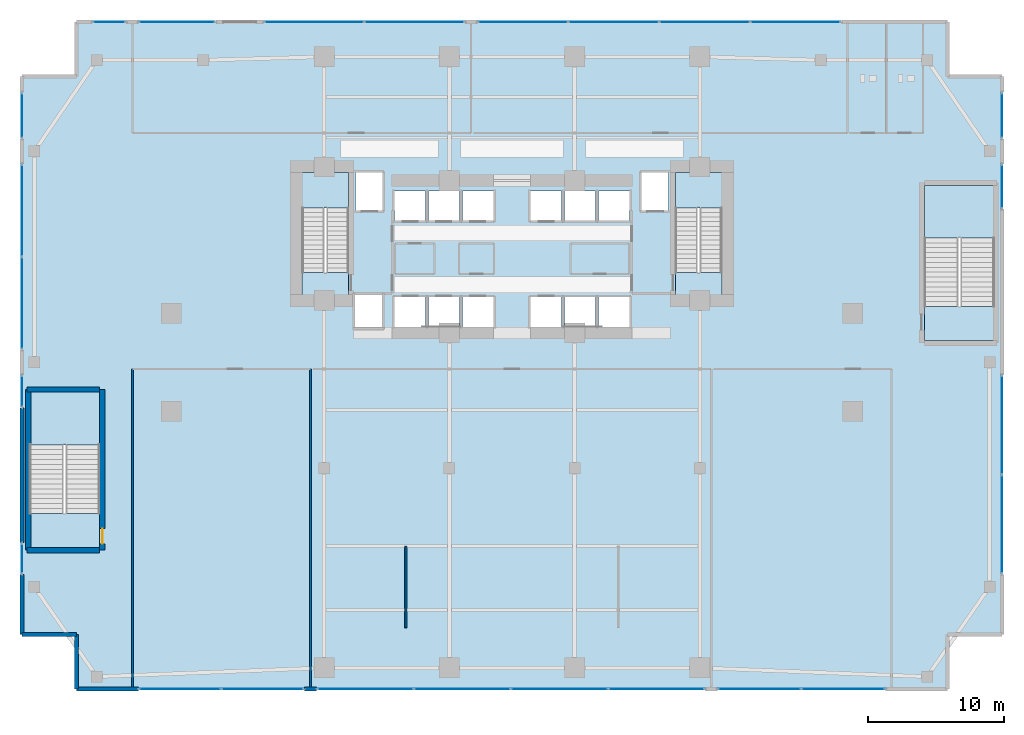
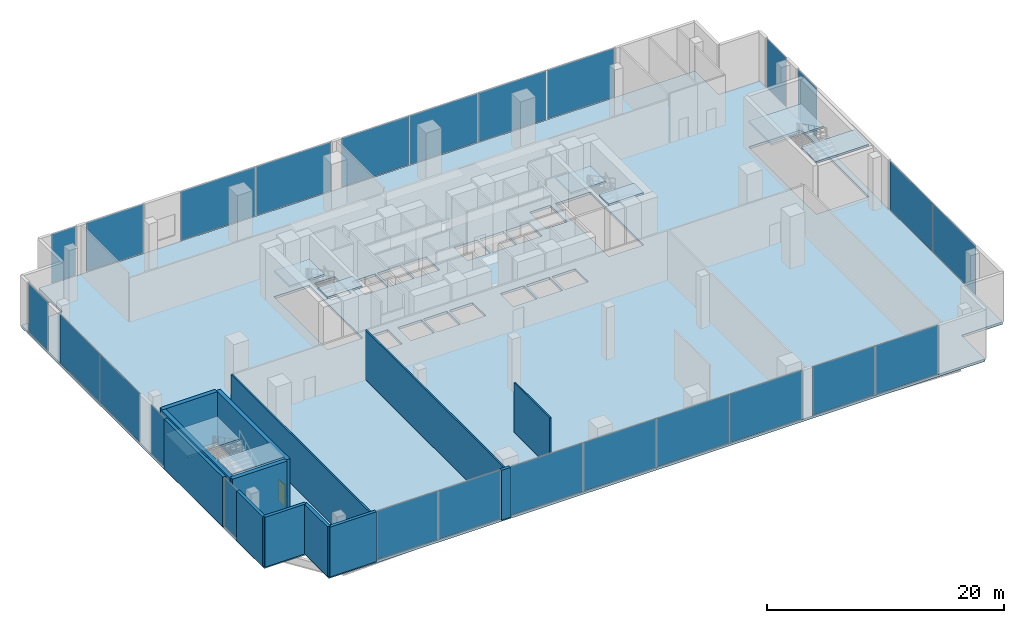
# One storey, part 22 of 30: 25 plates, 13 walls, 9 slabs, 1 door, 1 opening, 18 elements without a shape of their own.
"""IFC4 building model written with IfcOpenShell, lengths in metres."""

from ifc_helpers import new_model, si_unit, direction, frame, frame_2d, origin, origin_2d, place, context, subcontext, project, spatial, polyline, rectangle, outline, extrude, material, layer, layer_set, type_object, element, fill, aggregate, save


model = new_model("IFC4")

# Units and contexts
model_context = context("Model", 3, precision=1e-05, world=origin(), true_north=direction((0.0, 1.0)))
body_context = subcontext(model_context, "Body", "Model", "MODEL_VIEW")
ifc_project = project(units=[si_unit("LENGTHUNIT", "METRE"), si_unit("AREAUNIT", "SQUARE_METRE"), si_unit("VOLUMEUNIT", "CUBIC_METRE"), si_unit("PLANEANGLEUNIT", "RADIAN"), si_unit("MASSUNIT", "GRAM", prefix="KILO")], contexts=[model_context])

# Site, building, storey
site_placement = place(None, origin())
site = spatial("IfcSite", under=ifc_project, at=site_placement, CompositionType="ELEMENT")
building_placement = place(site_placement, origin())
building = spatial("IfcBuilding", under=site, at=building_placement, Name="Zuhayl Quay Hotel", CompositionType="ELEMENT")
storey_placement = place(building_placement, frame((0.0, 0.0, 6.0)))
storey = spatial("IfcBuildingStorey", under=building, at=storey_placement, Name="L01", CompositionType="ELEMENT", Elevation=6.0)

# Curtain wall, plate
ifc_material_1 = material(Name="Anodised Aluminium 6063-T6", Category="aluminium")
ifc_layer_1 = layer(ifc_material_1, 0.199951171875, Name="Anodised Aluminium 6063-T6", Category="aluminium")
ifc_layer_set_1 = layer_set([ifc_layer_1], Name="Anodised Aluminium 6063-T6")
curtain_wall_type = type_object("IfcCurtainWallType", Name="CW_SYS_POD", PredefinedType="USERDEFINED", material=ifc_layer_set_1)
curtain_wall_1_placement = place(storey_placement, origin())
curtain_wall_1 = element("IfcCurtainWall", 1, at=curtain_wall_1_placement, inside=storey, type_object=curtain_wall_type, Name="L01 Curtain Wall ENV_L01_E02_CW1", ObjectType="UNITISED CURTAIN WALL", PredefinedType="USERDEFINED")
ifc_material_2 = material(Name="Low-E Insulated Clear Vision Glass", Category="glass")
ifc_layer_2 = layer(ifc_material_2, 0.031982421875, Name="Low-E Insulated Clear Vision Glass", Category="glass")
ifc_layer_set_2 = layer_set([ifc_layer_2], Name="Low-E Insulated Clear Vision Glass")
plate_type = type_object("IfcPlateType", Name="PN_POD_VISION", PredefinedType="CURTAIN_PANEL", material=ifc_layer_set_2)
plate_1_placement = place(storey_placement, frame((-36.0, -14.4150390625, 0.06005859375), z_axis=(0.0, 0.0, 1.0), x_axis=(0.0, 1.0, 0.0)))
plate_1 = element("IfcPlate", 2, at=plate_1_placement, type_object=plate_type, Name="CW-POD panel 1.1", PredefinedType="CURTAIN_PANEL", context=body_context, shape_type="SweptSolid", body=[
    extrude(rectangle(XDim=2.179931640625, YDim=0.031982421875, at=origin_2d()), origin(), (0.0, 0.0, 1.0), 5.02001953125),
])
aggregate(curtain_wall_1, [plate_1])

curtain_wall_2_placement = place(storey_placement, origin())
curtain_wall_2 = element("IfcCurtainWall", 3, at=curtain_wall_2_placement, inside=storey, type_object=curtain_wall_type, Name="L01 Curtain Wall ENV_L01_E02_CW2", ObjectType="UNITISED CURTAIN WALL", PredefinedType="USERDEFINED")
plate_2_placement = place(storey_placement, frame((-36.0, -2.135009765625, 0.06005859375), z_axis=(0.0, 0.0, 1.0), x_axis=(0.0, 1.0, 0.0)))
plate_2 = element("IfcPlate", 4, at=plate_2_placement, type_object=plate_type, Name="CW-POD panel 1.1", PredefinedType="CURTAIN_PANEL", context=body_context, shape_type="SweptSolid", body=[
    extrude(rectangle(XDim=2.280029296875, YDim=0.031982421875, at=origin_2d()), origin(), (0.0, 0.0, 1.0), 5.02001953125),
])
aggregate(curtain_wall_2, [plate_2])

# Curtain wall, plates
curtain_wall_3_placement = place(storey_placement, origin())
curtain_wall_3 = element("IfcCurtainWall", 5, at=curtain_wall_3_placement, inside=storey, type_object=curtain_wall_type, Name="L01 Curtain Wall ENV_L01_E02_CW3", ObjectType="UNITISED CURTAIN WALL", PredefinedType="USERDEFINED")
plate_3_placement = place(storey_placement, frame((-36.0, 4.353759765625, 0.06005859375), z_axis=(0.0, 0.0, 1.0), x_axis=(0.0, 1.0, 0.0)))
plate_3 = element("IfcPlate", 6, at=plate_3_placement, type_object=plate_type, Name="CW-POD panel 1.1", PredefinedType="CURTAIN_PANEL", context=body_context, shape_type="SweptSolid", body=[
    extrude(rectangle(XDim=6.717529296875, YDim=0.031982421875, at=origin_2d()), origin(), (0.0, 0.0, 1.0), 5.02001953125),
])
plate_4_placement = place(storey_placement, frame((-36.0, 11.146240234375, 0.06005859375), z_axis=(0.0, 0.0, 1.0), x_axis=(0.0, 1.0, 0.0)))
plate_4 = element("IfcPlate", 7, at=plate_4_placement, type_object=plate_type, Name="CW-POD panel 2.1", PredefinedType="CURTAIN_PANEL", context=body_context, shape_type="SweptSolid", body=[
    extrude(rectangle(XDim=6.717529296875, YDim=0.031982421875, at=origin_2d()), origin(), (0.0, 0.0, 1.0), 5.02001953125),
])
aggregate(curtain_wall_3, [plate_3, plate_4])

# Curtain wall, plate
curtain_wall_4_placement = place(storey_placement, origin())
curtain_wall_4 = element("IfcCurtainWall", 8, at=curtain_wall_4_placement, inside=storey, type_object=curtain_wall_type, Name="L01 Curtain Wall ENV_L01_E02_CW4", ObjectType="UNITISED CURTAIN WALL", PredefinedType="USERDEFINED")
plate_5_placement = place(storey_placement, frame((-36.0, 18.135009765625, 0.06005859375), z_axis=(0.0, 0.0, 1.0), x_axis=(0.0, 1.0, 0.0)))
plate_5 = element("IfcPlate", 9, at=plate_5_placement, type_object=plate_type, Name="CW-POD panel 1.1", PredefinedType="CURTAIN_PANEL", context=body_context, shape_type="SweptSolid", body=[
    extrude(rectangle(XDim=3.280029296875, YDim=0.031982421875, at=origin_2d()), origin(), (0.0, 0.0, 1.0), 5.02001953125),
])
aggregate(curtain_wall_4, [plate_5])

curtain_wall_5_placement = place(storey_placement, origin())
curtain_wall_5 = element("IfcCurtainWall", 10, at=curtain_wall_5_placement, inside=storey, type_object=curtain_wall_type, Name="L01 Curtain Wall ENV_L01_E05_CW1", ObjectType="UNITISED CURTAIN WALL", PredefinedType="USERDEFINED")
plate_6_placement = place(storey_placement, frame((-29.60009765625, 25.0, 0.06005859375), z_axis=(0.0, 0.0, 1.0), x_axis=(1.0, 0.0, 0.0)))
plate_6 = element("IfcPlate", 11, at=plate_6_placement, type_object=plate_type, Name="CW-POD panel 1.1", PredefinedType="CURTAIN_PANEL", context=body_context, shape_type="SweptSolid", body=[
    extrude(rectangle(XDim=2.35009765625, YDim=0.031982421875, at=origin_2d()), origin(), (0.0, 0.0, 1.0), 5.02001953125),
])
aggregate(curtain_wall_5, [plate_6])

curtain_wall_6_placement = place(storey_placement, origin())
curtain_wall_6 = element("IfcCurtainWall", 12, at=curtain_wall_6_placement, inside=storey, type_object=curtain_wall_type, Name="L01 Curtain Wall ENV_L01_E05_CW2", ObjectType="UNITISED CURTAIN WALL", PredefinedType="USERDEFINED")
plate_7_placement = place(storey_placement, frame((-24.60009765625, 25.0, 0.06005859375), z_axis=(0.0, 0.0, 1.0), x_axis=(1.0, 0.0, 0.0)))
plate_7 = element("IfcPlate", 13, at=plate_7_placement, type_object=plate_type, Name="CW-POD panel 1.1", PredefinedType="CURTAIN_PANEL", context=body_context, shape_type="SweptSolid", body=[
    extrude(rectangle(XDim=5.550048828125, YDim=0.031982421875, at=origin_2d()), origin(), (0.0, 0.0, 1.0), 5.02001953125),
])
aggregate(curtain_wall_6, [plate_7])

# Curtain wall, plates
curtain_wall_7_placement = place(storey_placement, origin())
curtain_wall_7 = element("IfcCurtainWall", 14, at=curtain_wall_7_placement, inside=storey, type_object=curtain_wall_type, Name="L01 Curtain Wall ENV_L01_E05_CW3", ObjectType="UNITISED CURTAIN WALL", PredefinedType="USERDEFINED")
plate_8_placement = place(storey_placement, frame((-14.53125, 25.0, 0.06005859375), z_axis=(0.0, 0.0, 1.0), x_axis=(1.0, 0.0, 0.0)))
plate_8 = element("IfcPlate", 15, at=plate_8_placement, type_object=plate_type, Name="CW-POD panel 1.1", PredefinedType="CURTAIN_PANEL", context=body_context, shape_type="SweptSolid", body=[
    extrude(rectangle(XDim=7.28759765625, YDim=0.031982421875, at=origin_2d()), origin(), (0.0, 0.0, 1.0), 5.02001953125),
])
plate_9_placement = place(storey_placement, frame((-7.168701171875, 25.0, 0.06005859375), z_axis=(0.0, 0.0, 1.0), x_axis=(1.0, 0.0, 0.0)))
plate_9 = element("IfcPlate", 16, at=plate_9_placement, type_object=plate_type, Name="CW-POD panel 2.1", PredefinedType="CURTAIN_PANEL", context=body_context, shape_type="SweptSolid", body=[
    extrude(rectangle(XDim=7.28759765625, YDim=0.031982421875, at=origin_2d()), origin(), (0.0, 0.0, 1.0), 5.02001953125),
])
aggregate(curtain_wall_7, [plate_8, plate_9])

curtain_wall_8_placement = place(storey_placement, origin())
curtain_wall_8 = element("IfcCurtainWall", 17, at=curtain_wall_8_placement, inside=storey, type_object=curtain_wall_type, Name="L01 Curtain Wall ENV_L01_E05_CW4", ObjectType="UNITISED CURTAIN WALL", PredefinedType="USERDEFINED")
plate_10_placement = place(storey_placement, frame((0.8125, 25.0, 0.06005859375), z_axis=(0.0, 0.0, 1.0), x_axis=(1.0, 0.0, 0.0)))
plate_10 = element("IfcPlate", 18, at=plate_10_placement, type_object=plate_type, Name="CW-POD panel 1.1", PredefinedType="CURTAIN_PANEL", context=body_context, shape_type="SweptSolid", body=[
    extrude(rectangle(XDim=6.574951171875, YDim=0.031982421875, at=origin_2d()), origin(), (0.0, 0.0, 1.0), 5.02001953125),
])
plate_11_placement = place(storey_placement, frame((7.481201171875, 25.0, 0.06005859375), z_axis=(0.0, 0.0, 1.0), x_axis=(1.0, 0.0, 0.0)))
plate_11 = element("IfcPlate", 19, at=plate_11_placement, type_object=plate_type, Name="CW-POD panel 2.1", PredefinedType="CURTAIN_PANEL", context=body_context, shape_type="SweptSolid", body=[
    extrude(rectangle(XDim=6.612548828125, YDim=0.031982421875, at=origin_2d()), origin(), (0.0, 0.0, 1.0), 5.02001953125),
])
plate_12_placement = place(storey_placement, frame((14.168701171875, 25.0, 0.06005859375), z_axis=(0.0, 0.0, 1.0), x_axis=(1.0, 0.0, 0.0)))
plate_12 = element("IfcPlate", 20, at=plate_12_placement, type_object=plate_type, Name="CW-POD panel 3.1", PredefinedType="CURTAIN_PANEL", context=body_context, shape_type="SweptSolid", body=[
    extrude(rectangle(XDim=6.612548828125, YDim=0.031982421875, at=origin_2d()), origin(), (0.0, 0.0, 1.0), 5.02001953125),
])
plate_13_placement = place(storey_placement, frame((20.83740234375, 25.0, 0.06005859375), z_axis=(0.0, 0.0, 1.0), x_axis=(1.0, 0.0, 0.0)))
plate_13 = element("IfcPlate", 21, at=plate_13_placement, type_object=plate_type, Name="CW-POD panel 4.1", PredefinedType="CURTAIN_PANEL", context=body_context, shape_type="SweptSolid", body=[
    extrude(rectangle(XDim=6.574951171875, YDim=0.031982421875, at=origin_2d()), origin(), (0.0, 0.0, 1.0), 5.02001953125),
])
aggregate(curtain_wall_8, [plate_10, plate_11, plate_12, plate_13])

# Curtain wall, plate
curtain_wall_9_placement = place(storey_placement, origin())
curtain_wall_9 = element("IfcCurtainWall", 22, at=curtain_wall_9_placement, inside=storey, type_object=curtain_wall_type, Name="L01 Curtain Wall ENV_L01_E08_CW1", ObjectType="UNITISED CURTAIN WALL", PredefinedType="USERDEFINED")
plate_14_placement = place(storey_placement, frame((36.0, 18.135009765625, 0.06005859375), z_axis=(0.0, 0.0, 1.0), x_axis=(0.0, -1.0, 0.0)))
plate_14 = element("IfcPlate", 23, at=plate_14_placement, type_object=plate_type, Name="CW-POD panel 1.1", PredefinedType="CURTAIN_PANEL", context=body_context, shape_type="SweptSolid", body=[
    extrude(rectangle(XDim=3.280029296875, YDim=0.031982421875, at=origin_2d()), origin(), (0.0, 0.0, 1.0), 5.02001953125),
])
aggregate(curtain_wall_9, [plate_14])

curtain_wall_10_placement = place(storey_placement, origin())
curtain_wall_10 = element("IfcCurtainWall", 24, at=curtain_wall_10_placement, inside=storey, type_object=curtain_wall_type, Name="L01 Curtain Wall ENV_L01_E08_CW2", ObjectType="UNITISED CURTAIN WALL", PredefinedType="USERDEFINED")
plate_15_placement = place(storey_placement, frame((36.0, 12.9150390625, 0.06005859375), z_axis=(0.0, 0.0, 1.0), x_axis=(0.0, -1.0, 0.0)))
plate_15 = element("IfcPlate", 25, at=plate_15_placement, type_object=plate_type, Name="CW-POD panel 1.1", PredefinedType="CURTAIN_PANEL", context=body_context, shape_type="SweptSolid", body=[
    extrude(rectangle(XDim=3.179931640625, YDim=0.031982421875, at=origin_2d()), origin(), (0.0, 0.0, 1.0), 5.02001953125),
])
aggregate(curtain_wall_10, [plate_15])

# Curtain wall, plates
curtain_wall_11_placement = place(storey_placement, origin())
curtain_wall_11 = element("IfcCurtainWall", 26, at=curtain_wall_11_placement, inside=storey, type_object=curtain_wall_type, Name="L01 Curtain Wall ENV_L01_E08_CW3", ObjectType="UNITISED CURTAIN WALL", PredefinedType="USERDEFINED")
plate_16_placement = place(storey_placement, frame((36.0, -4.603759765625, 0.06005859375), z_axis=(0.0, 0.0, 1.0), x_axis=(0.0, -1.0, 0.0)))
plate_16 = element("IfcPlate", 27, at=plate_16_placement, type_object=plate_type, Name="CW-POD panel 1.1", PredefinedType="CURTAIN_PANEL", context=body_context, shape_type="SweptSolid", body=[
    extrude(rectangle(XDim=7.217529296875, YDim=0.031982421875, at=origin_2d()), origin(), (0.0, 0.0, 1.0), 5.02001953125),
])
plate_17_placement = place(storey_placement, frame((36.0, -11.896240234375, 0.06005859375), z_axis=(0.0, 0.0, 1.0), x_axis=(0.0, -1.0, 0.0)))
plate_17 = element("IfcPlate", 28, at=plate_17_placement, type_object=plate_type, Name="CW-POD panel 2.1", PredefinedType="CURTAIN_PANEL", context=body_context, shape_type="SweptSolid", body=[
    extrude(rectangle(XDim=7.217529296875, YDim=0.031982421875, at=origin_2d()), origin(), (0.0, 0.0, 1.0), 5.02001953125),
])
aggregate(curtain_wall_11, [plate_16, plate_17])

curtain_wall_12_placement = place(storey_placement, origin())
curtain_wall_12 = element("IfcCurtainWall", 29, at=curtain_wall_12_placement, inside=storey, type_object=curtain_wall_type, Name="L01 Curtain Wall ENV_L01_E11_CW1", ObjectType="UNITISED CURTAIN WALL", PredefinedType="USERDEFINED")
plate_18_placement = place(storey_placement, frame((24.34130859375, -24.0, 0.06005859375), z_axis=(0.0, 0.0, 1.0), x_axis=(-1.0, 0.0, 0.0)))
plate_18 = element("IfcPlate", 30, at=plate_18_placement, type_object=plate_type, Name="CW-POD panel 1.1", PredefinedType="CURTAIN_PANEL", context=body_context, shape_type="SweptSolid", body=[
    extrude(rectangle(XDim=6.0673828125, YDim=0.031982421875, at=origin_2d()), origin(), (0.0, 0.0, 1.0), 5.02001953125),
])
plate_19_placement = place(storey_placement, frame((18.19873046875, -24.0, 0.06005859375), z_axis=(0.0, 0.0, 1.0), x_axis=(-1.0, 0.0, 0.0)))
plate_19 = element("IfcPlate", 31, at=plate_19_placement, type_object=plate_type, Name="CW-POD panel 2.1", PredefinedType="CURTAIN_PANEL", context=body_context, shape_type="SweptSolid", body=[
    extrude(rectangle(XDim=6.0673828125, YDim=0.031982421875, at=origin_2d()), origin(), (0.0, 0.0, 1.0), 5.02001953125),
])
aggregate(curtain_wall_12, [plate_18, plate_19])

curtain_wall_13_placement = place(storey_placement, origin())
curtain_wall_13 = element("IfcCurtainWall", 32, at=curtain_wall_13_placement, inside=storey, type_object=curtain_wall_type, Name="L01 Curtain Wall ENV_L01_E11_CW2", ObjectType="UNITISED CURTAIN WALL", PredefinedType="USERDEFINED")
plate_20_placement = place(storey_placement, frame((10.603759765625, -24.0, 0.06005859375), z_axis=(0.0, 0.0, 1.0), x_axis=(-1.0, 0.0, 0.0)))
plate_20 = element("IfcPlate", 33, at=plate_20_placement, type_object=plate_type, Name="CW-POD panel 1.1", PredefinedType="CURTAIN_PANEL", context=body_context, shape_type="SweptSolid", body=[
    extrude(rectangle(XDim=7.0224609375, YDim=0.031982421875, at=origin_2d()), origin(), (0.0, 0.0, 1.0), 5.02001953125),
])
plate_21_placement = place(storey_placement, frame((3.487548828125, -24.0, 0.06005859375), z_axis=(0.0, 0.0, 1.0), x_axis=(-1.0, 0.0, 0.0)))
plate_21 = element("IfcPlate", 34, at=plate_21_placement, type_object=plate_type, Name="CW-POD panel 2.1", PredefinedType="CURTAIN_PANEL", context=body_context, shape_type="SweptSolid", body=[
    extrude(rectangle(XDim=7.06005859375, YDim=0.031982421875, at=origin_2d()), origin(), (0.0, 0.0, 1.0), 5.02001953125),
])
plate_22_placement = place(storey_placement, frame((-3.6474609375, -24.0, 0.06005859375), z_axis=(0.0, 0.0, 1.0), x_axis=(-1.0, 0.0, 0.0)))
plate_22 = element("IfcPlate", 35, at=plate_22_placement, type_object=plate_type, Name="CW-POD panel 3.1", PredefinedType="CURTAIN_PANEL", context=body_context, shape_type="SweptSolid", body=[
    extrude(rectangle(XDim=7.06005859375, YDim=0.031982421875, at=origin_2d()), origin(), (0.0, 0.0, 1.0), 5.02001953125),
])
plate_23_placement = place(storey_placement, frame((-10.763671875, -24.0, 0.06005859375), z_axis=(0.0, 0.0, 1.0), x_axis=(-1.0, 0.0, 0.0)))
plate_23 = element("IfcPlate", 36, at=plate_23_placement, type_object=plate_type, Name="CW-POD panel 4.1", PredefinedType="CURTAIN_PANEL", context=body_context, shape_type="SweptSolid", body=[
    extrude(rectangle(XDim=7.0224609375, YDim=0.031982421875, at=origin_2d()), origin(), (0.0, 0.0, 1.0), 5.02001953125),
])
aggregate(curtain_wall_13, [plate_20, plate_21, plate_22, plate_23])

curtain_wall_14_placement = place(storey_placement, origin())
curtain_wall_14 = element("IfcCurtainWall", 37, at=curtain_wall_14_placement, inside=storey, type_object=curtain_wall_type, Name="L01 Curtain Wall ENV_L01_E11_CW3", ObjectType="UNITISED CURTAIN WALL", PredefinedType="USERDEFINED")
plate_24_placement = place(storey_placement, frame((-18.31884765625, -24.0, 0.06005859375), z_axis=(0.0, 0.0, 1.0), x_axis=(-1.0, 0.0, 0.0)))
plate_24 = element("IfcPlate", 38, at=plate_24_placement, type_object=plate_type, Name="CW-POD panel 1.1", PredefinedType="CURTAIN_PANEL", context=body_context, shape_type="SweptSolid", body=[
    extrude(rectangle(XDim=5.987548828125, YDim=0.031982421875, at=origin_2d()), origin(), (0.0, 0.0, 1.0), 5.02001953125),
])
plate_25_placement = place(storey_placement, frame((-24.38134765625, -24.0, 0.06005859375), z_axis=(0.0, 0.0, 1.0), x_axis=(-1.0, 0.0, 0.0)))
plate_25 = element("IfcPlate", 39, at=plate_25_placement, type_object=plate_type, Name="CW-POD panel 2.1", PredefinedType="CURTAIN_PANEL", context=body_context, shape_type="SweptSolid", body=[
    extrude(rectangle(XDim=5.987548828125, YDim=0.031982421875, at=origin_2d()), origin(), (0.0, 0.0, 1.0), 5.02001953125),
])
aggregate(curtain_wall_14, [plate_24, plate_25])

# Slab
ifc_material_3 = material(Name="Concrete C45/55", Category="concrete")
ifc_layer_3 = layer(ifc_material_3, 0.25, Name="Concrete C45/55", Category="concrete")
ifc_layer_set_3 = layer_set([ifc_layer_3], Name="Concrete C45/55")
slab_type_1 = type_object("IfcSlabType", Name="SL_FLOOR_250", PredefinedType="FLOOR", material=ifc_layer_set_3)
slab_1_placement = place(storey_placement, frame((0.0, 0.0, -0.25)))
element("IfcSlab", 40, at=slab_1_placement, inside=storey, type_object=slab_type_1, Name="L01 Structural Floor Slab", PredefinedType="FLOOR", context=body_context, shape_type="SweptSolid", body=[
    extrude(outline(polyline([(-32.0, -24.0), (32.0, -24.0), (32.0, -20.0), (36.0, -20.0), (36.0, 21.0), (32.0, 21.0), (32.0, 25.0), (-32.0, 25.0), (-32.0, 21.0), (-36.0, 21.0), (-36.0, -20.0), (-32.0, -20.0), (-32.0, -24.0)]), holes=[polyline([(-12.0, 4.949951171875), (-12.0, 13.949951171875), (-15.429931640625, 13.949951171875), (-15.429931640625, 4.949951171875), (-12.0, 4.949951171875)]), polyline([(15.429931640625, 4.949951171875), (15.429931640625, 13.949951171875), (12.0, 13.949951171875), (12.0, 4.949951171875), (15.429931640625, 4.949951171875)]), polyline([(-30.300048828125, -13.60009765625), (-30.300048828125, -2.199951171875), (-35.449951171875, -2.199951171875), (-35.449951171875, -13.60009765625), (-30.300048828125, -13.60009765625)]), polyline([(35.449951171875, 1.60009765625), (35.449951171875, 13.0), (30.300048828125, 13.0), (30.300048828125, 1.60009765625), (35.449951171875, 1.60009765625)]), polyline([(-11.5, 11.14990234375), (-9.5, 11.14990234375), (-9.5, 13.949951171875), (-11.5, 13.949951171875), (-11.5, 11.14990234375)]), polyline([(9.5, 11.14990234375), (11.5, 11.14990234375), (11.5, 13.949951171875), (9.5, 13.949951171875), (9.5, 11.14990234375)]), polyline([(-8.64990234375, 2.60009765625), (-6.35009765625, 2.60009765625), (-6.35009765625, 4.800048828125), (-8.64990234375, 4.800048828125), (-8.64990234375, 2.60009765625)]), polyline([(-6.14990234375, 2.60009765625), (-3.85009765625, 2.60009765625), (-3.85009765625, 4.800048828125), (-6.14990234375, 4.800048828125), (-6.14990234375, 2.60009765625)]), polyline([(-8.64990234375, 10.39990234375), (-6.35009765625, 10.39990234375), (-6.35009765625, 12.60009765625), (-8.64990234375, 12.60009765625), (-8.64990234375, 10.39990234375)]), polyline([(-6.14990234375, 10.39990234375), (-3.85009765625, 10.39990234375), (-3.85009765625, 12.60009765625), (-6.14990234375, 12.60009765625), (-6.14990234375, 10.39990234375)]), polyline([(-3.64990234375, 2.60009765625), (-1.35009765625, 2.60009765625), (-1.35009765625, 4.800048828125), (-3.64990234375, 4.800048828125), (-3.64990234375, 2.60009765625)]), polyline([(1.35009765625, 2.60009765625), (3.64990234375, 2.60009765625), (3.64990234375, 4.800048828125), (1.35009765625, 4.800048828125), (1.35009765625, 2.60009765625)]), polyline([(-3.64990234375, 10.39990234375), (-1.35009765625, 10.39990234375), (-1.35009765625, 12.60009765625), (-3.64990234375, 12.60009765625), (-3.64990234375, 10.39990234375)]), polyline([(1.35009765625, 10.39990234375), (3.64990234375, 10.39990234375), (3.64990234375, 12.60009765625), (1.35009765625, 12.60009765625), (1.35009765625, 10.39990234375)]), polyline([(3.85009765625, 2.60009765625), (6.14990234375, 2.60009765625), (6.14990234375, 4.800048828125), (3.85009765625, 4.800048828125), (3.85009765625, 2.60009765625)]), polyline([(6.35009765625, 2.60009765625), (8.64990234375, 2.60009765625), (8.64990234375, 4.800048828125), (6.35009765625, 4.800048828125), (6.35009765625, 2.60009765625)]), polyline([(3.85009765625, 10.39990234375), (6.14990234375, 10.39990234375), (6.14990234375, 12.60009765625), (3.85009765625, 12.60009765625), (3.85009765625, 10.39990234375)]), polyline([(6.35009765625, 10.39990234375), (8.64990234375, 10.39990234375), (8.64990234375, 12.60009765625), (6.35009765625, 12.60009765625), (6.35009765625, 10.39990234375)]), polyline([(-11.550048828125, 2.550048828125), (-9.550048828125, 2.550048828125), (-9.550048828125, 4.949951171875), (-11.550048828125, 4.949951171875), (-11.550048828125, 2.550048828125)])]), origin(), (0.0, 0.0, 1.0), 0.25),
])

# Stair, slabs
stair_type_1 = type_object("IfcStairType", Name="ST_DOGLEG_TOWER", PredefinedType="HALF_TURN_STAIR", material=ifc_material_3)
stair_1_placement = place(storey_placement, origin())
stair_1 = element("IfcStair", 41, at=stair_1_placement, inside=storey, type_object=stair_type_1, Name="L01 Smokeproof Exit Stair ST1", PredefinedType="HALF_TURN_STAIR")
ifc_layer_4 = layer(ifc_material_3, 0.199951171875, Name="Concrete C45/55", Category="concrete")
ifc_layer_set_4 = layer_set([ifc_layer_4], Name="Concrete C45/55")
slab_type_2 = type_object("IfcSlabType", Name="SL_STAIR_LANDING_200", PredefinedType="LANDING", material=ifc_layer_set_4)
slab_2_placement = place(storey_placement, frame((0.0, 0.0, 2.5)))
slab_2 = element("IfcSlab", 42, at=slab_2_placement, type_object=slab_type_2, Name="ST1 landing 1", PredefinedType="LANDING", context=body_context, shape_type="SweptSolid", body=[
    extrude(outline(polyline([(-12.0, 11.35009765625), (-12.0, 13.949951171875), (-15.429931640625, 13.949951171875), (-15.429931640625, 11.35009765625), (-12.0, 11.35009765625)])), origin(), (0.0, 0.0, 1.0), 0.199951171875),
])
slab_3_placement = place(storey_placement, frame((0.0, 0.0, 5.199951171875)))
slab_3 = element("IfcSlab", 43, at=slab_3_placement, type_object=slab_type_2, Name="ST1 landing 2", PredefinedType="LANDING", context=body_context, shape_type="SweptSolid", body=[
    extrude(outline(polyline([(-12.0, 4.949951171875), (-12.0, 6.590087890625), (-15.429931640625, 6.590087890625), (-15.429931640625, 4.949951171875), (-12.0, 4.949951171875)])), origin(), (0.0, 0.0, 1.0), 0.199951171875),
])
aggregate(stair_1, [slab_2, slab_3])

stair_2_placement = place(storey_placement, origin())
stair_2 = element("IfcStair", 44, at=stair_2_placement, inside=storey, type_object=stair_type_1, Name="L01 Smokeproof Exit Stair ST2", PredefinedType="HALF_TURN_STAIR")
slab_4_placement = place(storey_placement, frame((0.0, 0.0, 2.5)))
slab_4 = element("IfcSlab", 45, at=slab_4_placement, type_object=slab_type_2, Name="ST2 landing 1", PredefinedType="LANDING", context=body_context, shape_type="SweptSolid", body=[
    extrude(outline(polyline([(15.429931640625, 11.35009765625), (15.429931640625, 13.949951171875), (12.0, 13.949951171875), (12.0, 11.35009765625), (15.429931640625, 11.35009765625)])), origin(), (0.0, 0.0, 1.0), 0.199951171875),
])
slab_5_placement = place(storey_placement, frame((0.0, 0.0, 5.199951171875)))
slab_5 = element("IfcSlab", 46, at=slab_5_placement, type_object=slab_type_2, Name="ST2 landing 2", PredefinedType="LANDING", context=body_context, shape_type="SweptSolid", body=[
    extrude(outline(polyline([(15.429931640625, 4.949951171875), (15.429931640625, 6.590087890625), (12.0, 6.590087890625), (12.0, 4.949951171875), (15.429931640625, 4.949951171875)])), origin(), (0.0, 0.0, 1.0), 0.199951171875),
])
aggregate(stair_2, [slab_4, slab_5])

stair_type_2 = type_object("IfcStairType", Name="ST_DOGLEG_PODIUM", PredefinedType="HALF_TURN_STAIR", material=ifc_material_3)
stair_3_placement = place(storey_placement, origin())
stair_3 = element("IfcStair", 47, at=stair_3_placement, inside=storey, type_object=stair_type_2, Name="L01 Smokeproof Exit Stair ST3", PredefinedType="HALF_TURN_STAIR")
slab_6_placement = place(storey_placement, frame((0.0, 0.0, 2.5)))
slab_6 = element("IfcSlab", 48, at=slab_6_placement, type_object=slab_type_2, Name="ST3 landing 1", PredefinedType="LANDING", context=body_context, shape_type="SweptSolid", body=[
    extrude(outline(polyline([(-30.300048828125, -6.06005859375), (-30.300048828125, -2.199951171875), (-35.449951171875, -2.199951171875), (-35.449951171875, -6.06005859375), (-30.300048828125, -6.06005859375)])), origin(), (0.0, 0.0, 1.0), 0.199951171875),
])
slab_7_placement = place(storey_placement, frame((0.0, 0.0, 5.199951171875)))
slab_7 = element("IfcSlab", 49, at=slab_7_placement, type_object=slab_type_2, Name="ST3 landing 2", PredefinedType="LANDING", context=body_context, shape_type="SweptSolid", body=[
    extrude(outline(polyline([(-30.300048828125, -13.60009765625), (-30.300048828125, -11.10009765625), (-35.449951171875, -11.10009765625), (-35.449951171875, -13.60009765625), (-30.300048828125, -13.60009765625)])), origin(), (0.0, 0.0, 1.0), 0.199951171875),
])
aggregate(stair_3, [slab_6, slab_7])

stair_4_placement = place(storey_placement, origin())
stair_4 = element("IfcStair", 50, at=stair_4_placement, inside=storey, type_object=stair_type_2, Name="L01 Smokeproof Exit Stair ST4", PredefinedType="HALF_TURN_STAIR")
slab_8_placement = place(storey_placement, frame((0.0, 0.0, 2.5)))
slab_8 = element("IfcSlab", 51, at=slab_8_placement, type_object=slab_type_2, Name="ST4 landing 1", PredefinedType="LANDING", context=body_context, shape_type="SweptSolid", body=[
    extrude(outline(polyline([(35.449951171875, 9.139892578125), (35.449951171875, 13.0), (30.300048828125, 13.0), (30.300048828125, 9.139892578125), (35.449951171875, 9.139892578125)])), origin(), (0.0, 0.0, 1.0), 0.199951171875),
])
slab_9_placement = place(storey_placement, frame((0.0, 0.0, 5.199951171875)))
slab_9 = element("IfcSlab", 52, at=slab_9_placement, type_object=slab_type_2, Name="ST4 landing 2", PredefinedType="LANDING", context=body_context, shape_type="SweptSolid", body=[
    extrude(outline(polyline([(35.449951171875, 1.60009765625), (35.449951171875, 4.10009765625), (30.300048828125, 4.10009765625), (30.300048828125, 1.60009765625), (35.449951171875, 1.60009765625)])), origin(), (0.0, 0.0, 1.0), 0.199951171875),
])
aggregate(stair_4, [slab_8, slab_9])

# Walls
ifc_material_4 = material(Name="Precast concrete C45/55", Category="concrete")
ifc_layer_5 = layer(ifc_material_4, 0.300048828125, Name="Precast concrete C45/55", Category="concrete")
ifc_layer_set_5 = layer_set([ifc_layer_5], Name="Precast concrete C45/55")
wall_type_1 = type_object("IfcWallType", Name="WL_EXT_300", PredefinedType="STANDARD", material=ifc_layer_set_5)
wall_1_placement = place(storey_placement, frame((-32.0, -20.0, 0.0), z_axis=(0.0, 0.0, 1.0), x_axis=(-1.0, 0.0, 0.0)))
element("IfcWall", 53, at=wall_1_placement, inside=storey, type_object=wall_type_1, Name="L01 Exterior Precast Wall ENV_L01_EW01", PredefinedType="STANDARD", context=body_context, shape_type="SweptSolid", body=[
    extrude(rectangle(XDim=4.0, YDim=0.300048828125, at=frame_2d((2.0, 0.0))), origin(), (0.0, 0.0, 1.0), 5.139892578125),
])
wall_2_placement = place(storey_placement, frame((-36.0, -20.0, 0.0), z_axis=(0.0, 0.0, 1.0), x_axis=(0.0, 1.0, 0.0)))
element("IfcWall", 54, at=wall_2_placement, inside=storey, type_object=wall_type_1, Name="L01 Exterior Precast Wall ENV_L01_E02_EW1", PredefinedType="STANDARD", context=body_context, shape_type="SweptSolid", body=[
    extrude(rectangle(XDim=4.419921875, YDim=0.300048828125, at=frame_2d((2.2099609375, 0.0))), origin(), (0.0, 0.0, 1.0), 5.139892578125),
])
wall_3_placement = place(storey_placement, frame((-36.0, -13.25, 0.0), z_axis=(0.0, 0.0, 1.0), x_axis=(0.0, 1.0, 0.0)))
element("IfcWall", 55, at=wall_3_placement, inside=storey, type_object=wall_type_1, Name="L01 Exterior Precast Wall ENV_L01_E02_EW2", PredefinedType="STANDARD", context=body_context, shape_type="SweptSolid", body=[
    extrude(rectangle(XDim=9.89990234375, YDim=0.300048828125, at=frame_2d((4.949951171875, 0.0))), origin(), (0.0, 0.0, 1.0), 5.139892578125),
])
wall_4_placement = place(storey_placement, frame((-14.35009765625, -24.0, 0.0), z_axis=(0.0, 0.0, 1.0), x_axis=(-1.0, 0.0, 0.0)))
element("IfcWall", 56, at=wall_4_placement, inside=storey, type_object=wall_type_1, Name="L01 Exterior Precast Wall ENV_L01_E11_EW3", PredefinedType="STANDARD", context=body_context, shape_type="SweptSolid", body=[
    extrude(rectangle(XDim=0.89990234375, YDim=0.300048828125, at=frame_2d((0.449951171875, 0.0))), origin(), (0.0, 0.0, 1.0), 5.139892578125),
])
wall_5_placement = place(storey_placement, frame((-27.449951171875, -24.0, 0.0), z_axis=(0.0, 0.0, 1.0), x_axis=(-1.0, 0.0, 0.0)))
element("IfcWall", 57, at=wall_5_placement, inside=storey, type_object=wall_type_1, Name="L01 Exterior Precast Wall ENV_L01_E11_EW4", PredefinedType="STANDARD", context=body_context, shape_type="SweptSolid", body=[
    extrude(rectangle(XDim=4.550048828125, YDim=0.300048828125, at=frame_2d((2.27490234375, 0.0))), origin(), (0.0, 0.0, 1.0), 5.139892578125),
])
wall_6_placement = place(storey_placement, frame((-32.0, -24.0, 0.0), z_axis=(0.0, 0.0, 1.0), x_axis=(0.0, 1.0, 0.0)))
element("IfcWall", 58, at=wall_6_placement, inside=storey, type_object=wall_type_1, Name="L01 Exterior Precast Wall ENV_L01_EW12", PredefinedType="STANDARD", context=body_context, shape_type="SweptSolid", body=[
    extrude(rectangle(XDim=4.0, YDim=0.300048828125, at=frame_2d((2.0, 0.0))), origin(), (0.0, 0.0, 1.0), 5.139892578125),
])
ifc_material_5 = material(Name="Acoustic Timber Operable Panel STC-54", Category="wood")
ifc_layer_6 = layer(ifc_material_5, 0.139892578125, Name="Acoustic Timber Operable Panel STC-54", Category="wood")
ifc_layer_set_6 = layer_set([ifc_layer_6], Name="Acoustic Timber Operable Panel STC-54")
wall_type_2 = type_object("IfcWallType", Name="WL_MOVABLE_140", PredefinedType="MOVABLE", material=ifc_layer_set_6)
wall_7_placement = place(storey_placement, frame((-7.800048828125, -19.5, 0.0), z_axis=(0.0, 0.0, 1.0), x_axis=(0.0, 1.0, 0.0)))
element("IfcWall", 59, at=wall_7_placement, inside=storey, type_object=wall_type_2, Name="L01 Operable Acoustic Banquet Partition MW1-1", PredefinedType="MOVABLE", context=body_context, shape_type="SweptSolid", body=[
    extrude(rectangle(XDim=6.0, YDim=0.139892578125, at=frame_2d((3.0, 0.0))), origin(), (0.0, 0.0, 1.0), 5.139892578125),
])
ifc_material_6 = material(Name="Acoustic Gypsum Partition STC-58")
ifc_layer_7 = layer(ifc_material_6, 0.14990234375, Name="Acoustic Gypsum Partition STC-58")
ifc_layer_set_7 = layer_set([ifc_layer_7], Name="Acoustic Gypsum Partition STC-58")
wall_type_3 = type_object("IfcWallType", Name="WL_PART_150", PredefinedType="PARTITIONING", material=ifc_layer_set_7)
for number, where, z_axis, x_axis, name in (
    (60, (-27.89990234375, -23.93994140625, 0.0), (0.0, 0.0, 1.0), (0.0, 1.0, 0.0), "L01 Partition IW_L01_VIP_DIN_1_W"),
    (61, (-14.800048828125, -23.93994140625, 0.0), (0.0, 0.0, 1.0), (0.0, 1.0, 0.0), "L01 Partition IW_L01_VIP_DIN_1_E"),
):
    element("IfcWall", number, at=place(storey_placement, frame(where, z_axis=z_axis, x_axis=x_axis)), inside=storey, type_object=wall_type_3, Name=name, PredefinedType="PARTITIONING", context=body_context, shape_type="SweptSolid", body=[
        extrude(rectangle(XDim=23.43994140625, YDim=0.14990234375, at=frame_2d((11.719970703125, 0.0))), origin(), (0.0, 0.0, 1.0), 5.139892578125),
    ])

# Wall, opening, door
ifc_material_7 = material(Name="Concrete C60/75", Category="concrete")
ifc_layer_8 = layer(ifc_material_7, 0.39990234375, Name="Concrete C60/75", Category="concrete")
ifc_layer_set_8 = layer_set([ifc_layer_8], Name="Concrete C60/75")
wall_type_4 = type_object("IfcWallType", Name="WL_STAIR_400", PredefinedType="SHEAR", material=ifc_layer_set_8)
wall_8_placement = place(storey_placement, frame((-30.10009765625, -13.800048828125, 0.0), z_axis=(0.0, 0.0, 1.0), x_axis=(0.0, 1.0, 0.0)))
wall_8 = element("IfcWall", 62, at=wall_8_placement, inside=storey, type_object=wall_type_4, Name="L01 Podium Stair Shear Wall SW_ST3_E", PredefinedType="SHEAR", context=body_context, shape_type="SweptSolid", body=[
    extrude(rectangle(XDim=11.800048828125, YDim=0.39990234375, at=frame_2d((5.89990234375, 0.0))), origin(), (0.0, 0.0, 1.0), 5.2099609375),
])
opening_placement = place(wall_8_placement, frame((0.449951171875, 0.0, 0.0)))
opening = element("IfcOpeningElement", 63, at=opening_placement, cuts=wall_8, Name="Opening D01", PredefinedType="OPENING", context=body_context, shape_type="SweptSolid", body=[
    extrude(rectangle(XDim=1.1201171875, YDim=2.219970703125, at=frame_2d((0.56005859375, 1.10986328125))), frame((0.0, 0.2099609375, 0.0), z_axis=(0.0, -1.0, 0.0), x_axis=(1.0, 0.0, 0.0)), (0.0, 0.0, 1.0), 0.419921875),
])
ifc_material_8 = material(Name="Steel ASTM A992 Grade 50", Category="steel")
door_type = type_object("IfcDoorType", Name="DR_STAIR_90_1100", OperationType="NOTDEFINED", PredefinedType="DOOR", material=ifc_material_8)
door_placement = place(opening_placement, origin())
door = element("IfcDoor", 64, at=door_placement, inside=storey, type_object=door_type, Name="L01 Podium Exit Stair ST3 Door", OperationType="SINGLE_SWING_RIGHT", OverallHeight=2.219970703125, OverallWidth=1.1201171875, PredefinedType="DOOR", context=body_context, shape_type="SweptSolid", body=[
    extrude(rectangle(XDim=1.1201171875, YDim=2.219970703125, at=frame_2d((0.56005859375, 1.10986328125))), frame((0.0, 0.02490234375, 0.0), z_axis=(0.0, -1.0, 0.0), x_axis=(1.0, 0.0, 0.0)), (0.0, 0.0, 1.0), 0.050048828125),
])
fill(opening, door)

# Walls
for number, where, z_axis, x_axis, name in (
    (65, (-35.64990234375, -13.800048828125, 0.0), (0.0, 0.0, 1.0), (1.0, 0.0, 0.0), "L01 Podium Stair Shear Wall SW_ST3_S"),
    (66, (-35.64990234375, -2.0, 0.0), (0.0, 0.0, 1.0), (1.0, 0.0, 0.0), "L01 Podium Stair Shear Wall SW_ST3_N"),
):
    element("IfcWall", number, at=place(storey_placement, frame(where, z_axis=z_axis, x_axis=x_axis)), inside=storey, type_object=wall_type_4, Name=name, PredefinedType="SHEAR", context=body_context, shape_type="SweptSolid", body=[
        extrude(rectangle(XDim=5.349853515625, YDim=0.39990234375, at=frame_2d((2.6748046875, 0.0))), origin(), (0.0, 0.0, 1.0), 5.2099609375),
    ])
wall_9_placement = place(storey_placement, frame((-35.550048828125, -13.800048828125, 0.0), z_axis=(0.0, 0.0, 1.0), x_axis=(0.0, 1.0, 0.0)))
element("IfcWall", 67, at=wall_9_placement, inside=storey, type_object=wall_type_4, Name="L01 Podium Stair Shear Wall SW_ST3_W", PredefinedType="SHEAR", context=body_context, shape_type="SweptSolid", body=[
    extrude(rectangle(XDim=11.800048828125, YDim=0.39990234375, at=frame_2d((5.89990234375, 0.0))), origin(), (0.0, 0.0, 1.0), 5.2099609375),
])

save(model, "model.ifc")
